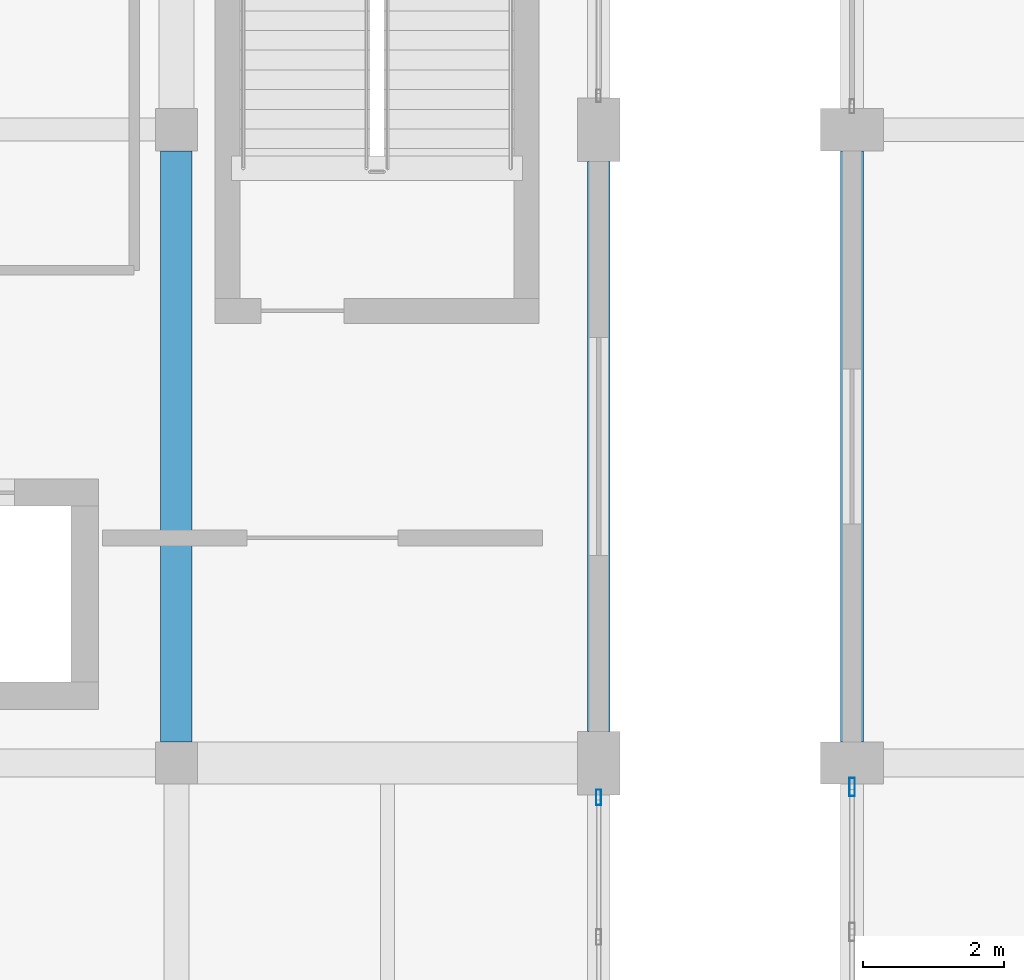
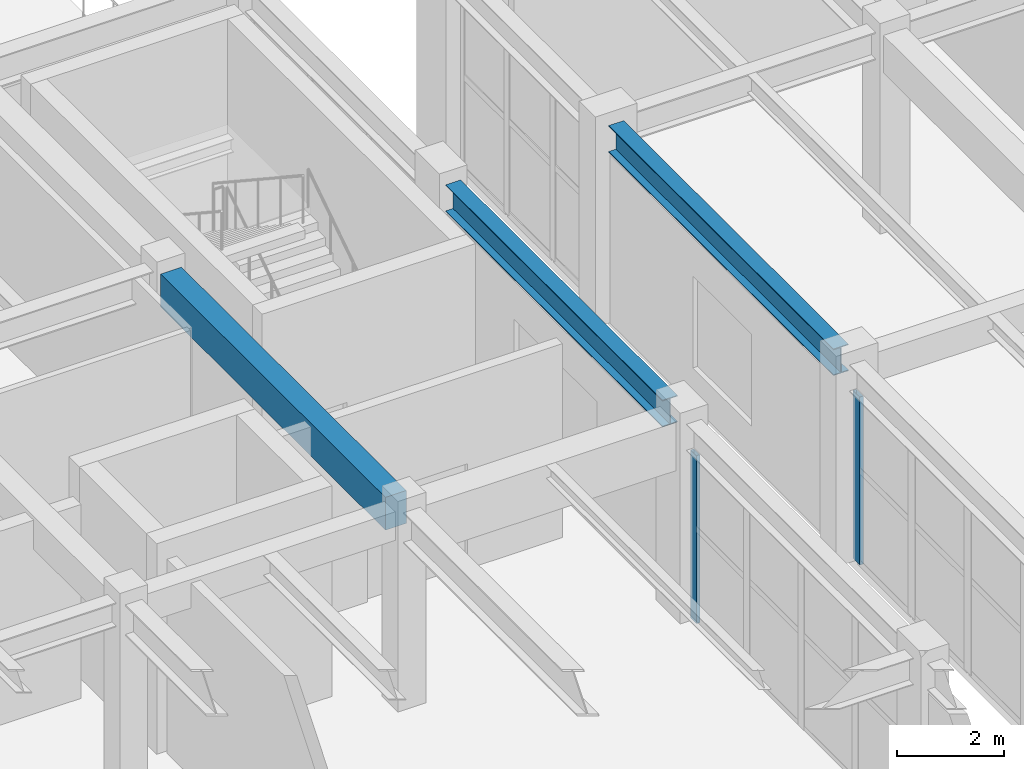
# One storey, part 18 of 80: 3 beams, 2 members, 2 elements without a shape of their own.
"""IFC4 building model written with IfcOpenShell, lengths in metres."""

from ifc_helpers import new_model, si_unit, direction, frame, origin, origin_2d, place, context, subcontext, project, spatial, rectangle, hollow_rectangle, i_section, extrude, material, layer, layer_set, material_profile, profile_set, type_object, element, aggregate, save


model = new_model("IFC4")

# Units and contexts
model_context = context("Model", 3, precision=1e-05, world=origin(), true_north=direction((0.0, 1.0)))
body_context = subcontext(model_context, "Body", "Model", "MODEL_VIEW")
ifc_project = project(units=[si_unit("LENGTHUNIT", "METRE"), si_unit("AREAUNIT", "SQUARE_METRE"), si_unit("VOLUMEUNIT", "CUBIC_METRE"), si_unit("PLANEANGLEUNIT", "RADIAN"), si_unit("MASSUNIT", "GRAM", prefix="KILO")], contexts=[model_context])

# Site, building, storey
site_placement = place(None, origin())
site = spatial("IfcSite", under=ifc_project, at=site_placement, CompositionType="ELEMENT")
building_placement = place(site_placement, origin())
building = spatial("IfcBuilding", under=site, at=building_placement, Name="Vaelkrest Opera House", CompositionType="ELEMENT")
storey_placement = place(building_placement, frame((0.0, 0.0, 15.0)))
storey = spatial("IfcBuildingStorey", under=building, at=storey_placement, Name="L03", CompositionType="ELEMENT", Elevation=15.0)

# Beam
ifc_material_1 = material(Name="Concrete C50/60", Category="concrete")
ifc_material_profile_1 = material_profile(ifc_material_1, rectangle(XDim=0.449951171875, YDim=0.75, at=origin_2d()), Name="RCB450X750")
ifc_profile_set_1 = profile_set([ifc_material_profile_1], Name="Concrete C50/60")
beam_type_1 = type_object("IfcBeamType", Name="B02", PredefinedType="BEAM", material=ifc_profile_set_1)
beam_1_placement = place(storey_placement, frame((-39.60009765625, 1.5, 4.1298828125), z_axis=(0.0, 1.0, 0.0), x_axis=(-1.0, 0.0, 0.0)))
element("IfcBeam", 1, at=beam_1_placement, inside=storey, type_object=beam_type_1, Name="Beam BM-V3-L03-1783", PredefinedType="BEAM", context=body_context, shape_type="SweptSolid", body=[
    extrude(rectangle(XDim=0.449951171875, YDim=0.75, at=origin_2d()), origin(), (0.0, 0.0, 1.0), 8.39990234375),
])

# Curtain wall, member
ifc_material_2 = material(Name="Dark bronze anodized aluminium", Category="aluminium")
ifc_layer_1 = layer(ifc_material_2, 0.239990234375)
ifc_layer_set_1 = layer_set([ifc_layer_1], Name="Dark bronze anodized aluminium")
curtain_wall_type_1 = type_object("IfcCurtainWallType", Name="CW07", PredefinedType="NOTDEFINED", material=ifc_layer_set_1)
curtain_wall_1_placement = place(storey_placement, origin())
curtain_wall_1 = element("IfcCurtainWall", 2, at=curtain_wall_1_placement, inside=storey, type_object=curtain_wall_type_1, Name="Curtain wall CW-L03-136", PredefinedType="NOTDEFINED")
ifc_material_profile_2 = material_profile(ifc_material_2, hollow_rectangle(XDim=0.074951171875, YDim=0.219970703125, WallThickness=0.00439453125, at=origin_2d()), Name="CWM75X220")
ifc_profile_set_2 = profile_set([ifc_material_profile_2], Name="Dark bronze anodized aluminium")
member_type_1 = type_object("IfcMemberType", Name="CWM03", PredefinedType="MULLION", material=ifc_profile_set_2)
member_1_placement = place(storey_placement, frame((-33.60009765625, 0.714599609375, 0.0), z_axis=(0.0, 0.0, 1.0), x_axis=(1.0, 0.0, 0.0)))
member_1 = element("IfcMember", 3, at=member_1_placement, type_object=member_type_1, Name="CW07 mullion 1", PredefinedType="MULLION", context=body_context, shape_type="SweptSolid", body=[
    extrude(hollow_rectangle(XDim=0.074951171875, YDim=0.219970703125, WallThickness=0.00439453125, at=origin_2d()), origin(), (0.0, 0.0, 1.0), 3.8291015625),
])
aggregate(curtain_wall_1, [member_1])

ifc_layer_2 = layer(ifc_material_2, 0.25)
ifc_layer_set_2 = layer_set([ifc_layer_2], Name="Dark bronze anodized aluminium")
curtain_wall_type_2 = type_object("IfcCurtainWallType", Name="CW08", PredefinedType="NOTDEFINED", material=ifc_layer_set_2)
curtain_wall_2_placement = place(storey_placement, origin())
curtain_wall_2 = element("IfcCurtainWall", 4, at=curtain_wall_2_placement, inside=storey, type_object=curtain_wall_type_2, Name="Curtain wall CW-L03-049", PredefinedType="NOTDEFINED")
ifc_material_profile_3 = material_profile(ifc_material_2, hollow_rectangle(XDim=0.080078125, YDim=0.260009765625, WallThickness=0.0048828125, at=origin_2d()), Name="CWM80X260")
ifc_profile_set_3 = profile_set([ifc_material_profile_3], Name="Dark bronze anodized aluminium")
member_type_2 = type_object("IfcMemberType", Name="CWM04", PredefinedType="MULLION", material=ifc_profile_set_3)
member_2_placement = place(storey_placement, frame((-30.0, 0.862060546875, 0.0), z_axis=(0.0, 0.0, 1.0), x_axis=(-1.0, 0.0, 0.0)))
member_2 = element("IfcMember", 5, at=member_2_placement, type_object=member_type_2, Name="CW08 mullion 5", PredefinedType="MULLION", context=body_context, shape_type="SweptSolid", body=[
    extrude(hollow_rectangle(XDim=0.080078125, YDim=0.260009765625, WallThickness=0.0048828125, at=origin_2d()), origin(), (0.0, 0.0, 1.0), 3.8291015625),
])
aggregate(curtain_wall_2, [member_2])

# Beams
ifc_material_3 = material(Name="Steel A992 Gr50", Category="steel")
ifc_material_profile_4 = material_profile(ifc_material_3, i_section(OverallWidth=0.323974609375, OverallDepth=0.611083984375, WebThickness=0.0126953125, FlangeThickness=0.01904296875, at=origin_2d()), Name="W24X104")
ifc_profile_set_4 = profile_set([ifc_material_profile_4], Name="Steel A992 Gr50")
beam_type_2 = type_object("IfcBeamType", Name="SP01", PredefinedType="SPANDREL", material=ifc_profile_set_4)
beam_2_placement = place(storey_placement, frame((-30.0, 1.5, 4.199462890625), z_axis=(0.0, 1.0, 0.0), x_axis=(-1.0, 0.0, 0.0)))
element("IfcBeam", 6, at=beam_2_placement, inside=storey, type_object=beam_type_2, Name="Beam BM-V1-L03-0479", PredefinedType="SPANDREL", context=body_context, shape_type="SweptSolid", body=[
    extrude(i_section(OverallWidth=0.323974609375, OverallDepth=0.611083984375, WebThickness=0.0126953125, FlangeThickness=0.01904296875, at=origin_2d()), origin(), (0.0, 0.0, 1.0), 8.39990234375),
])
beam_3_placement = place(storey_placement, frame((-33.60009765625, 1.64990234375, 4.199462890625), z_axis=(0.0, 1.0, 0.0), x_axis=(-1.0, 0.0, 0.0)))
element("IfcBeam", 7, at=beam_3_placement, inside=storey, type_object=beam_type_2, Name="Beam BM-V3-L03-1787", PredefinedType="SPANDREL", context=body_context, shape_type="SweptSolid", body=[
    extrude(i_section(OverallWidth=0.323974609375, OverallDepth=0.611083984375, WebThickness=0.0126953125, FlangeThickness=0.01904296875, at=origin_2d()), origin(), (0.0, 0.0, 1.0), 8.10009765625),
])

save(model, "model.ifc")
